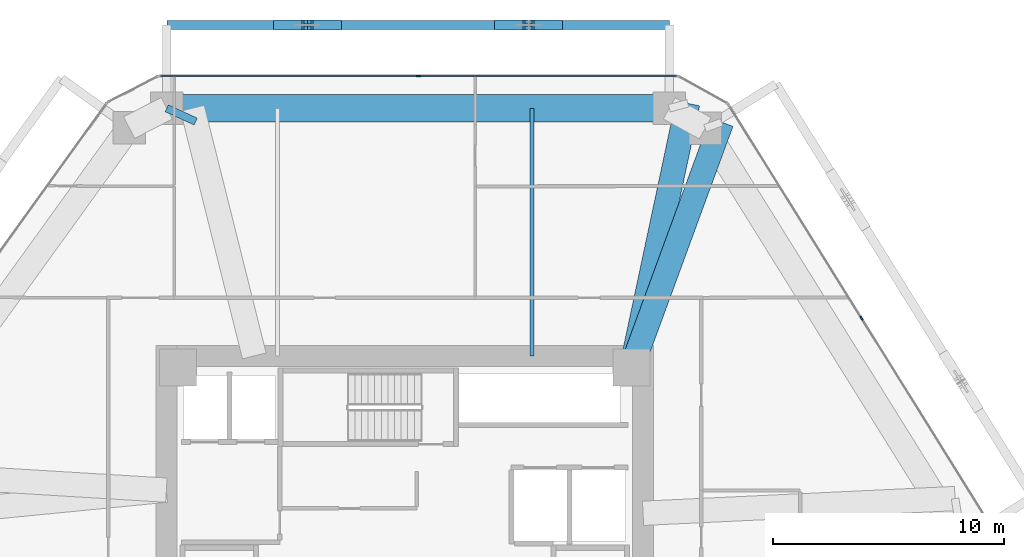
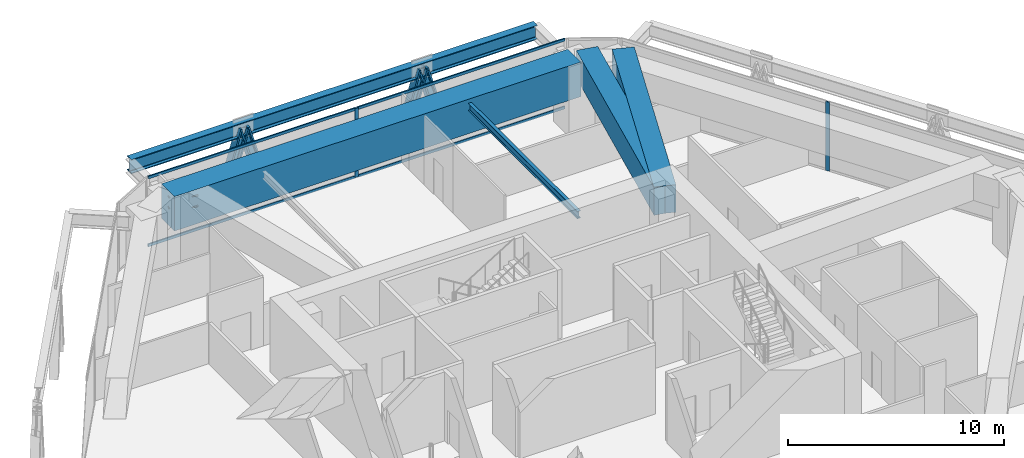
# One storey, part 8 of 16: 10 members, 6 beams, 2 elements without a shape of their own.
"""IFC4 building model written with IfcOpenShell, lengths in metres."""

import ifcopenshell
import ifcopenshell.guid

model = None  # the IFC model being written
_history = None  # IfcOwnerHistory: only IFC2X3 demands one
_inside = {}  # id of a spatial element -> (the spatial element, [elements in it])
_under = {}  # id of a project, library or spatial element -> (it, [spatial elements below it])
_declared = {}  # id of a project -> (the project, [libraries it declares])
_typed = {}  # id of a type object -> (the type object, [elements of that type])
_made_of = {}  # id of a material, layer set ... -> (it, [elements and type objects made of it])


def new_model(schema):
    """Start an empty IFC model of exactly this schema.

    Asked for "IFC4X3", IfcOpenShell would pick the latest addendum, in which some entities
    have other attributes; the version numbers below select the first issue.
    IFC2X3 requires an IfcOwnerHistory on every rooted entity: one is made here for all.
    """
    global model, _history
    if schema == "IFC4X3":
        model = ifcopenshell.file(schema_version=(4, 3, 0, 0))
    else:
        model = ifcopenshell.file(schema=schema)
    _inside.clear()
    _under.clear()
    _declared.clear()
    _typed.clear()
    _made_of.clear()
    _history = None
    if model.schema == "IFC2X3":
        org = make("IfcOrganization", Name="unknown")
        user = make(
            "IfcPersonAndOrganization",
            ThePerson=make("IfcPerson", FamilyName="unknown"),
            TheOrganization=org,
        )
        app = make(
            "IfcApplication",
            ApplicationDeveloper=org,
            Version="unknown",
            ApplicationFullName="unknown",
            ApplicationIdentifier="unknown",
        )
        _history = make(
            "IfcOwnerHistory",
            OwningUser=user,
            OwningApplication=app,
            ChangeAction="ADDED",
            CreationDate=0,
        )
    return model


def make(cls, **values):
    """One entity of the class cls with the attributes given. An attribute that is None is left unset."""
    return model.create_entity(
        cls, **{name: value for name, value in values.items() if value is not None}
    )


def rooted(cls, **values):
    """An entity with a GlobalId (a new one), such as an element, a storey or a relation."""
    return make(cls, GlobalId=ifcopenshell.guid.new(), OwnerHistory=_history, **values)


def si_unit(unit_type, name, prefix=None):
    """IfcSIUnit, for example si_unit("LENGTHUNIT", "METRE", prefix="MILLI")."""
    return make("IfcSIUnit", UnitType=unit_type, Prefix=prefix, Name=name)


def assignment(units):
    """IfcUnitAssignment: the units of a project."""
    return None if units is None else make("IfcUnitAssignment", Units=units)


def point(xyz):
    """IfcCartesianPoint."""
    return None if xyz is None else make("IfcCartesianPoint", Coordinates=xyz)


def direction(xyz):
    """IfcDirection."""
    return None if xyz is None else make("IfcDirection", DirectionRatios=xyz)


def frame(location, z_axis=None, x_axis=None):
    """IfcAxis2Placement3D, a coordinate frame: its origin and axes. An axis left out is left unset."""
    return make(
        "IfcAxis2Placement3D",
        Location=point(location),
        Axis=direction(z_axis),
        RefDirection=direction(x_axis),
    )


def frame_2d(location, x_axis=None):
    """IfcAxis2Placement2D, a coordinate frame in the plane: its origin and x axis."""
    return make(
        "IfcAxis2Placement2D", Location=point(location), RefDirection=direction(x_axis)
    )


def origin():
    """The frame at (0, 0, 0) with its axes left unset."""
    return frame((0.0, 0.0, 0.0))


def origin_2d():
    """The frame at (0, 0) in the plane with its x axis left unset."""
    return frame_2d((0.0, 0.0))


def place(relative_to, where):
    """IfcLocalPlacement: puts the frame where relative to a parent placement (None: the world)."""
    return make(
        "IfcLocalPlacement", PlacementRelTo=relative_to, RelativePlacement=where
    )


def context(
    kind, dimensions, precision=None, world=None, true_north=None, identifier=None
):
    """IfcGeometricRepresentationContext, for example the 3D "Model" context."""
    return make(
        "IfcGeometricRepresentationContext",
        ContextIdentifier=identifier,
        ContextType=kind,
        CoordinateSpaceDimension=dimensions,
        Precision=precision,
        WorldCoordinateSystem=world,
        TrueNorth=true_north,
    )


def subcontext(parent, identifier, kind, view, scale=None):
    """IfcGeometricRepresentationSubContext, for example "Body" below "Model"."""
    return make(
        "IfcGeometricRepresentationSubContext",
        ContextIdentifier=identifier,
        ContextType=kind,
        ParentContext=parent,
        TargetScale=scale,
        TargetView=view,
    )


def project(units=None, contexts=None):
    """IfcProject with its units and contexts."""
    return rooted(
        "IfcProject",
        Name="project",
        RepresentationContexts=contexts,
        UnitsInContext=assignment(units),
    )


def spatial(cls, under=None, at=None, **own):
    """A site, building, storey or space (cls), placed at a placement, below another one or the project."""
    s = rooted(cls, ObjectPlacement=at, **own)
    if under is not None:
        _under.setdefault(under.id(), (under, []))[1].append(s)
    return s


def profile(cls, at=None, kind="AREA", **sizes):
    """A parametric profile (cls). Its sizes go by their IFC names, for example OverallWidth=200.0."""
    return make(cls, ProfileType=kind, Position=at, **sizes)


def rectangle(**sizes):
    """IfcRectangleProfileDef."""
    return profile("IfcRectangleProfileDef", **sizes)


def i_section(**sizes):
    """IfcIShapeProfileDef."""
    return profile("IfcIShapeProfileDef", **sizes)


def extrude(swept, where, along, depth):
    """IfcExtrudedAreaSolid: the profile swept, set in the frame where, extruded along a direction by depth."""
    return make(
        "IfcExtrudedAreaSolid",
        SweptArea=swept,
        Position=where,
        ExtrudedDirection=direction(along),
        Depth=depth,
    )


def shape(context_of_items, identifier, shape_type, items):
    """IfcShapeRepresentation: the items that make up one representation, for example the "Body"."""
    return make(
        "IfcShapeRepresentation",
        ContextOfItems=context_of_items,
        RepresentationIdentifier=identifier,
        RepresentationType=shape_type,
        Items=items,
    )


def source(mapping_origin, context_of_items, identifier, shape_type, items):
    """IfcRepresentationMap: a shape defined once, which mapped items show again and again."""
    return make(
        "IfcRepresentationMap",
        MappingOrigin=mapping_origin,
        MappedRepresentation=shape(context_of_items, identifier, shape_type, items),
    )


def transform(
    local_origin,
    x_axis=None,
    y_axis=None,
    z_axis=None,
    scale=None,
    scale2=None,
    scale3=None,
    uniform=True,
):
    """IfcCartesianTransformationOperator3D, or its non-uniform kind. x_axis, y_axis, z_axis: its Axis1, 2, 3."""
    if uniform:
        return make(
            "IfcCartesianTransformationOperator3D",
            Axis1=direction(x_axis),
            Axis2=direction(y_axis),
            LocalOrigin=point(local_origin),
            Scale=scale,
            Axis3=direction(z_axis),
        )
    return make(
        "IfcCartesianTransformationOperator3DnonUniform",
        Axis1=direction(x_axis),
        Axis2=direction(y_axis),
        LocalOrigin=point(local_origin),
        Scale=scale,
        Axis3=direction(z_axis),
        Scale2=scale2,
        Scale3=scale3,
    )


def mapped(mapping_source, mapping_target):
    """IfcMappedItem: shows the shape of a source again, moved by a transform."""
    return make(
        "IfcMappedItem", MappingSource=mapping_source, MappingTarget=mapping_target
    )


def material(Name=None, Category=None):
    """IfcMaterial."""
    return make("IfcMaterial", Name=Name, Category=Category)


def layer(
    of_material, thickness, ventilated=None, Name=None, Category=None, Priority=None
):
    """IfcMaterialLayer: one layer of a wall or slab, of a material (None: an air gap)."""
    return make(
        "IfcMaterialLayer",
        Material=of_material,
        LayerThickness=thickness,
        IsVentilated=ventilated,
        Name=Name,
        Category=Category,
        Priority=Priority,
    )


def layer_set(layers, Name=None):
    """IfcMaterialLayerSet."""
    return make("IfcMaterialLayerSet", MaterialLayers=layers, LayerSetName=Name)


def material_profile(
    of_material, cross_section, Name=None, Category=None, Priority=None
):
    """IfcMaterialProfile: a cross section and its material."""
    return make(
        "IfcMaterialProfile",
        Name=Name,
        Material=of_material,
        Profile=cross_section,
        Priority=Priority,
        Category=Category,
    )


def profile_set(profiles, Name=None, composite=None):
    """IfcMaterialProfileSet."""
    return make(
        "IfcMaterialProfileSet",
        Name=Name,
        MaterialProfiles=profiles,
        CompositeProfile=composite,
    )


def made_of(thing, what):
    """Note that an element or type object is made of a material, layer set ...; save() writes the relation."""
    if what is not None:
        _made_of.setdefault(what.id(), (what, []))[1].append(thing)
    return thing


def type_object(cls, material=None, **own):
    """A type object (cls), such as IfcWallType, which elements share."""
    return made_of(rooted(cls, **own), material)


def type_shapes(of_type, sources):
    """Give a type object the sources (RepresentationMaps) that its elements show as mapped items."""
    of_type.RepresentationMaps = sources


def element(
    cls,
    number,
    at=None,
    inside=None,
    cuts=None,
    type_object=None,
    material=None,
    context=None,
    identifier="Body",
    shape_type=None,
    held_by="IfcProductDefinitionShape",
    body=None,
    shapes=None,
    **own,
):
    """One element of the class cls, such as IfcWall. Its Tag is "e" and its number.

    at: its placement. inside: the storey or other place that contains it. cuts: it is an
    opening in that element (IfcRelVoidsElement). A single representation is given by context,
    identifier, shape_type and body (its items); several are given by shapes. held_by: the class
    of the entity that holds the representations. save() writes the other relations.
    """
    e = rooted(cls, Tag="e%d" % number, ObjectPlacement=at, **own)
    if body is not None:
        shapes = [shape(context, identifier, shape_type, body)]
    if shapes is not None:
        e.Representation = make(held_by, Representations=shapes)
    if inside is not None:
        _inside.setdefault(inside.id(), (inside, []))[1].append(e)
    if cuts is not None:
        rooted(
            "IfcRelVoidsElement", RelatingBuildingElement=cuts, RelatedOpeningElement=e
        )
    if type_object is not None:
        _typed.setdefault(type_object.id(), (type_object, []))[1].append(e)
    return made_of(e, material)


def aggregate(whole, parts):
    """IfcRelAggregates: a whole, such as a stair, and the parts it consists of."""
    return rooted("IfcRelAggregates", RelatingObject=whole, RelatedObjects=parts)


def save(model, path):
    """Write the relations noted so far, then the file.

    IfcRelAggregates (storeys below a building ...), IfcRelContainedInSpatialStructure (elements
    in a storey), IfcRelDefinesByType, IfcRelAssociatesMaterial and IfcRelDeclares: one each for
    every whole, place, type object, material and project.
    """
    for whole, parts in _under.values():
        aggregate(whole, parts)
    for where, things in _inside.values():
        rooted(
            "IfcRelContainedInSpatialStructure",
            RelatedElements=things,
            RelatingStructure=where,
        )
    for kind, things in _typed.values():
        rooted("IfcRelDefinesByType", RelatedObjects=things, RelatingType=kind)
    for what, things in _made_of.values():
        rooted("IfcRelAssociatesMaterial", RelatedObjects=things, RelatingMaterial=what)
    for by, libraries in _declared.values():
        rooted("IfcRelDeclares", RelatingContext=by, RelatedDefinitions=libraries)
    model.write(path)


model = new_model("IFC4")

# Units and contexts
model_context = context("Model", 3, precision=1e-05, world=origin(), true_north=direction((0.0, 1.0)))
body_context = subcontext(model_context, "Body", "Model", "MODEL_VIEW")
ifc_project = project(units=[si_unit("LENGTHUNIT", "METRE"), si_unit("AREAUNIT", "SQUARE_METRE"), si_unit("VOLUMEUNIT", "CUBIC_METRE"), si_unit("PLANEANGLEUNIT", "RADIAN"), si_unit("MASSUNIT", "GRAM", prefix="KILO")], contexts=[model_context])

# Site, building, storey
site_placement = place(None, origin())
site = spatial("IfcSite", under=ifc_project, at=site_placement, CompositionType="ELEMENT")
building_placement = place(site_placement, origin())
building = spatial("IfcBuilding", under=site, at=building_placement, Name="Durnholm Broadcast Tower", CompositionType="ELEMENT")
storey_placement = place(building_placement, frame((0.0, 0.0, 84.300048828125)))
storey = spatial("IfcBuildingStorey", under=building, at=storey_placement, Name="L22", CompositionType="ELEMENT", Elevation=84.300048828125)

# Beams
ifc_material_1 = material(Name="Steel ASTM A992 Grade 50", Category="steel")
ifc_material_profile_1 = material_profile(ifc_material_1, i_section(OverallWidth=0.180908203125, OverallDepth=0.417236328125, WebThickness=0.010986328125, FlangeThickness=0.018310546875, FilletRadius=0.01904296875, at=origin_2d()), Name="W16X57")
ifc_profile_set_1 = profile_set([ifc_material_profile_1], Name="Steel ASTM A992 Grade 50")
beam_type_1 = type_object("IfcBeamType", Name="STL-BJ-W16X57", PredefinedType="JOIST", material=ifc_profile_set_1)
shared_shape_1 = source(origin(), body_context, "Body", "SweptSolid", [
    extrude(i_section(OverallWidth=0.180908203125, OverallDepth=0.417236328125, WebThickness=0.010986328125, FlangeThickness=0.018310546875, FilletRadius=0.01904296875, at=origin_2d()), origin(), (0.0, 0.0, 1.0), 10.699951171875),
])
type_shapes(beam_type_1, [shared_shape_1])
beam_1_placement = place(storey_placement, frame((5.5, 8.300048828125, 3.47119140625), z_axis=(0.0, 1.0, 0.0), x_axis=(-1.0, 0.0, 0.0)))
element("IfcBeam", 1, at=beam_1_placement, inside=storey, type_object=beam_type_1, Name="L22 secondary floor joist 4.2", PredefinedType="JOIST", context=body_context, shape_type="MappedRepresentation", body=[
    mapped(shared_shape_1, transform((0.0, 0.0, 0.0), x_axis=(1.0, 0.0, 0.0), y_axis=(0.0, 1.0, 0.0), z_axis=(0.0, 0.0, 1.0), scale=1.0)),
])
ifc_material_profile_2 = material_profile(ifc_material_1, i_section(OverallWidth=0.385009765625, OverallDepth=0.802978515625, WebThickness=0.023681640625, FlangeThickness=0.0419921875, FilletRadius=0.032958984375, at=origin_2d()), Name="W30X261")
ifc_profile_set_2 = profile_set([ifc_material_profile_2], Name="Steel ASTM A992 Grade 50")
beam_type_2 = type_object("IfcBeamType", Name="BM-EXO-TIE", PredefinedType="USERDEFINED", material=ifc_profile_set_2)
shared_shape_2 = source(origin(), body_context, "Body", "SweptSolid", [
    extrude(i_section(OverallWidth=0.385009765625, OverallDepth=0.802978515625, WebThickness=0.023681640625, FlangeThickness=0.0419921875, FilletRadius=0.032958984375, at=origin_2d()), origin(), (0.0, 0.0, 1.0), 21.7138671875),
])
type_shapes(beam_type_2, [shared_shape_2])
beam_2_placement = place(storey_placement, frame((11.43115234375, 22.60009765625, 3.1484375), z_axis=(-1.0, 0.0, 0.0), x_axis=(0.0, -1.0, 0.0)))
element("IfcBeam", 2, at=beam_2_placement, inside=storey, type_object=beam_type_2, Name="L22 exoskeleton collector spandrel F4", PredefinedType="SPANDREL", context=body_context, shape_type="MappedRepresentation", body=[
    mapped(shared_shape_2, transform((0.0, 0.0, 0.0), x_axis=(1.0, 0.0, 0.0), y_axis=(0.0, 1.0, 0.0), z_axis=(0.0, 0.0, 1.0), scale=1.0)),
])
ifc_material_2 = material(Name="Concrete C70/85", Category="concrete")
ifc_material_profile_3 = material_profile(ifc_material_2, rectangle(XDim=1.199951171875, YDim=1.949951171875, at=origin_2d()), Name="RC1200X1950")
ifc_profile_set_3 = profile_set([ifc_material_profile_3], Name="Concrete C70/85")
beam_type_3 = type_object("IfcBeamType", Name="BM-TG-RC1950", PredefinedType="USERDEFINED", material=ifc_profile_set_3)
shared_shape_3 = source(origin(), body_context, "Body", "SweptSolid", [
    extrude(rectangle(XDim=1.199951171875, YDim=1.949951171875, at=origin_2d()), origin(), (0.0, 0.0, 1.0), 21.7138671875),
])
type_shapes(beam_type_3, [shared_shape_3])
beam_3_placement = place(storey_placement, frame((-10.28271484375, 19.0, 2.925048828125), z_axis=(1.0, 0.0, 0.0), x_axis=(0.0, 1.0, 0.0)))
element("IfcBeam", 3, at=beam_3_placement, inside=storey, type_object=beam_type_3, Name="L22 perimeter transfer spandrel girder 05", PredefinedType="SPANDREL", context=body_context, shape_type="MappedRepresentation", body=[
    mapped(shared_shape_3, transform((0.0, 0.0, 0.0), x_axis=(1.0, 0.0, 0.0), y_axis=(0.0, 1.0, 0.0), z_axis=(0.0, 0.0, 1.0), scale=1.0)),
])
ifc_material_profile_4 = material_profile(ifc_material_1, i_section(OverallWidth=0.3291015625, OverallDepth=0.635009765625, WebThickness=0.017822265625, FlangeThickness=0.031005859375, FilletRadius=0.02783203125, at=origin_2d()), Name="W24X162")
ifc_profile_set_4 = profile_set([ifc_material_profile_4], Name="Steel ASTM A992 Grade 50")
beam_type_4 = type_object("IfcBeamType", Name="STL-SP-W24X162", PredefinedType="SPANDREL", material=ifc_profile_set_4)
shared_shape_4 = source(origin(), body_context, "Body", "SweptSolid", [
    extrude(i_section(OverallWidth=0.3291015625, OverallDepth=0.635009765625, WebThickness=0.017822265625, FlangeThickness=0.031005859375, FilletRadius=0.02783203125, at=origin_2d()), origin(), (0.0, 0.0, 1.0), 1.375244140625),
])
type_shapes(beam_type_4, [shared_shape_4])
beam_4_placement = place(storey_placement, frame((-10.28271484375, 19.0, 3.280029296875), z_axis=(0.909470639718, -0.415768151126, 0.0), x_axis=(0.415768151126, 0.909470639718, 0.0)))
element("IfcBeam", 4, at=beam_4_placement, inside=storey, type_object=beam_type_4, Name="L22 perimeter column collector tie 04", ObjectType="GIRDER", PredefinedType="USERDEFINED", context=body_context, shape_type="MappedRepresentation", body=[
    mapped(shared_shape_4, transform((0.0, 0.0, 0.0), x_axis=(1.0, 0.0, 0.0), y_axis=(0.0, 1.0, 0.0), z_axis=(0.0, 0.0, 1.0), scale=1.0)),
])
ifc_material_profile_5 = material_profile(ifc_material_2, rectangle(XDim=1.050048828125, YDim=1.550048828125, at=origin_2d()), Name="RC1050X1550")
ifc_profile_set_5 = profile_set([ifc_material_profile_5], Name="Concrete C70/85")
beam_type_5 = type_object("IfcBeamType", Name="BM-TG-RC1550", PredefinedType="USERDEFINED", material=ifc_profile_set_5)
shared_shape_5 = source(origin(), body_context, "Body", "SweptSolid", [
    extrude(rectangle(XDim=1.050048828125, YDim=1.550048828125, at=origin_2d()), origin(), (0.0, 0.0, 1.0), 11.6708984375),
])
beam_5_placement = place(storey_placement, frame((9.800048828125, 7.800048828125, 3.125), z_axis=(0.208206004915, 0.97808499606, 0.0), x_axis=(-0.97808499606, 0.208206004915, 0.0)))
element("IfcBeam", 5, at=beam_5_placement, inside=storey, type_object=beam_type_5, Name="L22 radial setback transfer girder 06", ObjectType="GIRDER", PredefinedType="USERDEFINED", context=body_context, shape_type="MappedRepresentation", body=[
    mapped(shared_shape_5, transform((0.0, 0.0, 0.0), x_axis=(1.0, 0.0, 0.0), y_axis=(0.0, 1.0, 0.0), z_axis=(0.0, 0.0, 1.0), scale=1.0)),
])
shared_shape_6 = source(origin(), body_context, "Body", "SweptSolid", [
    extrude(rectangle(XDim=1.050048828125, YDim=1.550048828125, at=origin_2d()), origin(), (0.0, 0.0, 1.0), 11.293212890625),
])
type_shapes(beam_type_5, [shared_shape_5, shared_shape_6])
beam_6_placement = place(storey_placement, frame((9.800048828125, 7.800048828125, 3.125), z_axis=(0.344640193759, 0.938734859716, 0.0), x_axis=(-0.938734859716, 0.344640193759, 0.0)))
element("IfcBeam", 6, at=beam_6_placement, inside=storey, type_object=beam_type_5, Name="L22 radial setback transfer girder 07", ObjectType="GIRDER", PredefinedType="USERDEFINED", context=body_context, shape_type="MappedRepresentation", body=[
    mapped(shared_shape_6, transform((0.0, 0.0, 0.0), x_axis=(1.0, 0.0, 0.0), y_axis=(0.0, 1.0, 0.0), z_axis=(0.0, 0.0, 1.0), scale=1.0)),
])

# Members
ifc_material_3 = material(Name="Steel ASTM A913 Grade 65", Category="steel")
ifc_material_profile_6 = material_profile(ifc_material_3, i_section(OverallWidth=0.43212890625, OverallDepth=0.497802734375, WebThickness=0.0556640625, FlangeThickness=0.0888671875, FilletRadius=0.030517578125, at=origin_2d()), Name="W14X500")
ifc_profile_set_6 = profile_set([ifc_material_profile_6], Name="Steel ASTM A913 Grade 65")
member_type_1 = type_object("IfcMemberType", Name="STL-DG-W14X500", PredefinedType="BRACE", material=ifc_profile_set_6)
shared_shape_7 = source(origin(), body_context, "Body", "SweptSolid", [
    extrude(i_section(OverallWidth=0.43212890625, OverallDepth=0.497802734375, WebThickness=0.0556640625, FlangeThickness=0.0888671875, FilletRadius=0.030517578125, at=origin_2d()), origin(), (0.0, 0.0, 1.0), 4.31982421875),
])
type_shapes(member_type_1, [shared_shape_7])
for number, where, z_axis, x_axis, name in (
    (7, (6.585205078125, 22.60009765625, -0.991455078125), (-0.285631208426, 0.0, 0.958339612441), (0.0, -1.0, 0.0), "L22 stand-off diagrid brace F4.D1.1"),
    (8, (4.117431640625, 22.60009765625, -0.991455078125), (0.285631208426, 0.0, 0.958339612441), (0.0, 1.0, 0.0), "L22 stand-off diagrid brace F4.D1.2"),
    (9, (-2.968994140625, 22.60009765625, -0.991455078125), (-0.285631208426, 0.0, 0.958339612441), (0.0, -1.0, 0.0), "L22 stand-off diagrid brace F4.D2.1"),
    (10, (-5.436767578125, 22.60009765625, -0.991455078125), (0.285631208426, 0.0, 0.958339612441), (0.0, 1.0, 0.0), "L22 stand-off diagrid brace F4.D2.2"),
):
    element("IfcMember", number, at=place(storey_placement, frame(where, z_axis=z_axis, x_axis=x_axis)), inside=storey, type_object=member_type_1, Name=name, PredefinedType="BRACE", context=body_context, shape_type="MappedRepresentation", body=[
        mapped(shared_shape_7, transform((0.0, 0.0, 0.0), x_axis=(1.0, 0.0, 0.0), y_axis=(0.0, 1.0, 0.0), z_axis=(0.0, 0.0, 1.0), scale=1.0)),
    ])

# Curtain wall, members
ifc_material_4 = material(Name="Aluminium and Solar Control IGU", Category="aluminium")
ifc_layer = layer(ifc_material_4, 0.18994140625)
ifc_layer_set = layer_set([ifc_layer], Name="Aluminium and Solar Control IGU")
curtain_wall_type = type_object("IfcCurtainWallType", Name="CW-SYS-3", PredefinedType="NOTDEFINED", material=ifc_layer_set)
curtain_wall_1_placement = place(storey_placement, origin())
curtain_wall_1 = element("IfcCurtainWall", 11, at=curtain_wall_1_placement, inside=storey, type_object=curtain_wall_type, Name="L22 curtain wall CW-Z12-VIS CW-L22-F04", PredefinedType="NOTDEFINED")
ifc_material_5 = material(Name="Aluminium 6063-T6", Category="aluminium")
ifc_material_profile_7 = material_profile(ifc_material_5, rectangle(XDim=0.070068359375, YDim=0.14990234375, at=origin_2d()), Name="CWT70X150")
ifc_profile_set_7 = profile_set([ifc_material_profile_7], Name="Aluminium 6063-T6")
member_type_2 = type_object("IfcMemberType", Name="CW-SYS-3-TRN", PredefinedType="USERDEFINED", material=ifc_profile_set_7)
shared_shape_8 = source(origin(), body_context, "Body", "SweptSolid", [
    extrude(rectangle(XDim=0.070068359375, YDim=0.14990234375, at=origin_2d()), origin(), (0.0, 0.0, 1.0), 11.10205078125),
])
type_shapes(member_type_2, [shared_shape_8])
member_1_placement = place(storey_placement, frame((-10.55029296875, 20.39990234375, 0.034912109375), z_axis=(1.0, 0.0, 0.0), x_axis=(0.0, 1.0, 0.0)))
member_1 = element("IfcMember", 12, at=member_1_placement, type_object=member_type_2, Name="CW-Z12-VIS transom 1.1", ObjectType="TRANSOM", PredefinedType="USERDEFINED", context=body_context, shape_type="MappedRepresentation", body=[
    mapped(shared_shape_8, transform((0.0, 0.0, 0.0), x_axis=(1.0, 0.0, 0.0), y_axis=(0.0, 1.0, 0.0), z_axis=(0.0, 0.0, 1.0), scale=1.0)),
])
member_2_placement = place(storey_placement, frame((-10.55029296875, 20.39990234375, 3.864990234375), z_axis=(1.0, 0.0, 0.0), x_axis=(0.0, 1.0, 0.0)))
member_2 = element("IfcMember", 13, at=member_2_placement, type_object=member_type_2, Name="CW-Z12-VIS transom 1.2", ObjectType="TRANSOM", PredefinedType="USERDEFINED", context=body_context, shape_type="MappedRepresentation", body=[
    mapped(shared_shape_8, transform((0.0, 0.0, 0.0), x_axis=(1.0, 0.0, 0.0), y_axis=(0.0, 1.0, 0.0), z_axis=(0.0, 0.0, 1.0), scale=1.0)),
])
member_3_placement = place(storey_placement, frame((0.621826171875, 20.39990234375, 0.034912109375), z_axis=(1.0, 0.0, 0.0), x_axis=(0.0, 1.0, 0.0)))
member_3 = element("IfcMember", 14, at=member_3_placement, type_object=member_type_2, Name="CW-Z12-VIS transom 2.1", ObjectType="TRANSOM", PredefinedType="USERDEFINED", context=body_context, shape_type="MappedRepresentation", body=[
    mapped(shared_shape_8, transform((0.0, 0.0, 0.0), x_axis=(1.0, 0.0, 0.0), y_axis=(0.0, 1.0, 0.0), z_axis=(0.0, 0.0, 1.0), scale=1.0)),
])
member_4_placement = place(storey_placement, frame((0.621826171875, 20.39990234375, 3.864990234375), z_axis=(1.0, 0.0, 0.0), x_axis=(0.0, 1.0, 0.0)))
member_4 = element("IfcMember", 15, at=member_4_placement, type_object=member_type_2, Name="CW-Z12-VIS transom 2.2", ObjectType="TRANSOM", PredefinedType="USERDEFINED", context=body_context, shape_type="MappedRepresentation", body=[
    mapped(shared_shape_8, transform((0.0, 0.0, 0.0), x_axis=(1.0, 0.0, 0.0), y_axis=(0.0, 1.0, 0.0), z_axis=(0.0, 0.0, 1.0), scale=1.0)),
])
ifc_material_profile_8 = material_profile(ifc_material_5, rectangle(XDim=0.070068359375, YDim=0.18994140625, at=origin_2d()), Name="CWM70X190")
ifc_profile_set_8 = profile_set([ifc_material_profile_8], Name="Aluminium 6063-T6")
member_type_3 = type_object("IfcMemberType", Name="CW-SYS-3-MUL", PredefinedType="MULLION", material=ifc_profile_set_8)
shared_shape_9 = source(origin(), body_context, "Body", "SweptSolid", [
    extrude(rectangle(XDim=0.070068359375, YDim=0.18994140625, at=origin_2d()), origin(), (0.0, 0.0, 1.0), 3.89990234375),
])
type_shapes(member_type_3, [shared_shape_9])
member_5_placement = place(storey_placement, frame((0.5869140625, 20.39990234375, 0.0), z_axis=(0.0, 0.0, 1.0), x_axis=(0.0, 1.0, 0.0)))
member_5 = element("IfcMember", 16, at=member_5_placement, type_object=member_type_3, Name="CW-Z12-VIS mullion 2", PredefinedType="MULLION", context=body_context, shape_type="MappedRepresentation", body=[
    mapped(shared_shape_9, transform((0.0, 0.0, 0.0), x_axis=(1.0, 0.0, 0.0), y_axis=(0.0, 1.0, 0.0), z_axis=(0.0, 0.0, 1.0), scale=1.0)),
])
aggregate(curtain_wall_1, [member_5, member_1, member_2, member_3, member_4])

# Curtain wall, member
curtain_wall_2_placement = place(storey_placement, origin())
curtain_wall_2 = element("IfcCurtainWall", 17, at=curtain_wall_2_placement, inside=storey, type_object=curtain_wall_type, Name="L22 curtain wall CW-Z12-VIS CW-L22-F06", PredefinedType="NOTDEFINED")
member_6_placement = place(storey_placement, frame((19.741943359375, 9.93212890625, 0.0), z_axis=(0.0, 0.0, 1.0), x_axis=(0.848875785503, 0.528592376777, 0.0)))
member_6 = element("IfcMember", 18, at=member_6_placement, type_object=member_type_3, Name="CW-Z12-VIS mullion 2", PredefinedType="MULLION", context=body_context, shape_type="MappedRepresentation", body=[
    mapped(shared_shape_9, transform((0.0, 0.0, 0.0), x_axis=(1.0, 0.0, 0.0), y_axis=(0.0, 1.0, 0.0), z_axis=(0.0, 0.0, 1.0), scale=1.0)),
])
aggregate(curtain_wall_2, [member_6])

save(model, "model.ifc")
